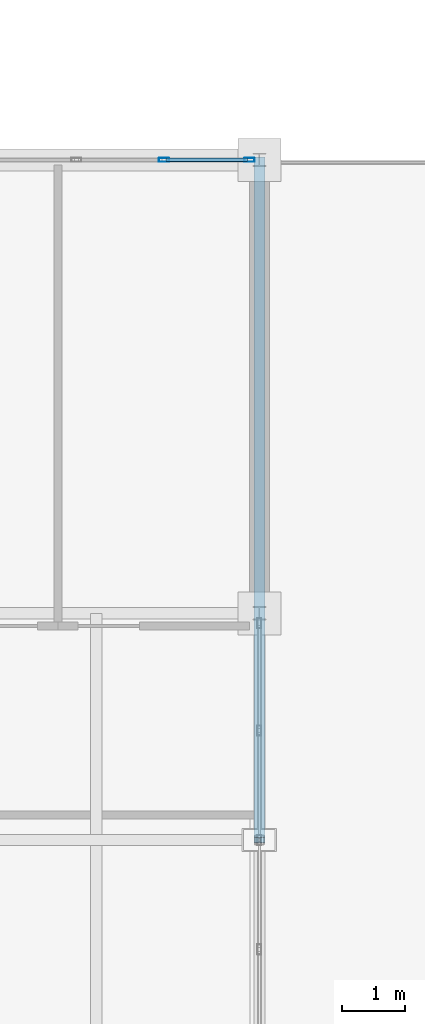
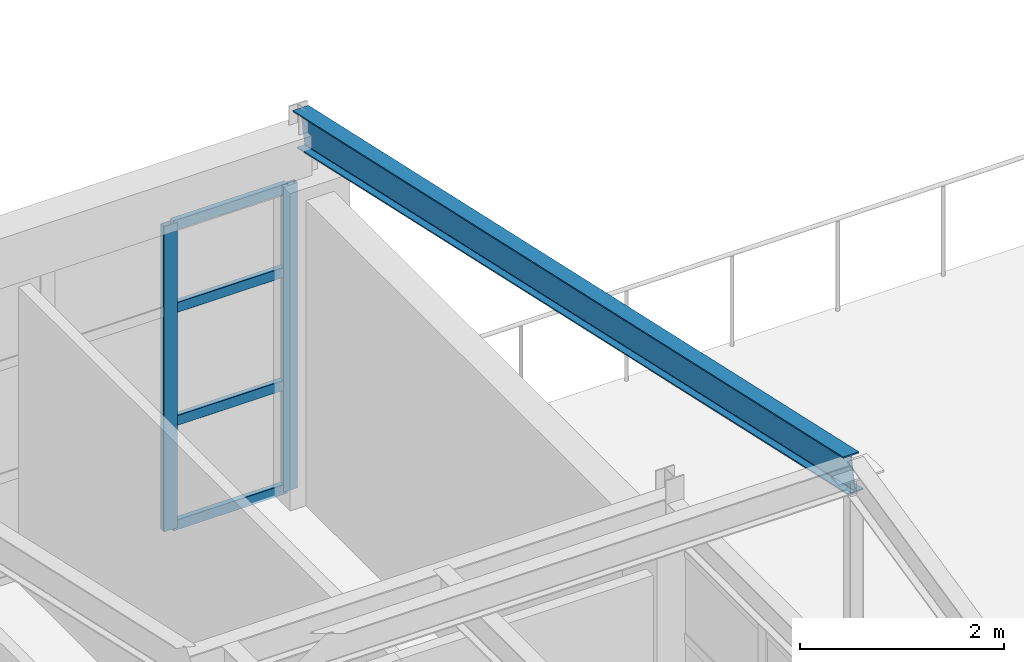
# One storey, part 80 of 101: 6 members, 1 beam, 1 element without a shape of its own.
"""IFC4 building model written with IfcOpenShell, lengths in metres."""

from ifc_helpers import new_model, si_unit, direction, frame, origin, origin_2d, place, context, subcontext, project, spatial, hollow_rectangle, i_section, extrude, material, layer, layer_set, material_profile, profile_set, type_object, element, aggregate, save


model = new_model("IFC4")

# Units and contexts
model_context = context("Model", 3, precision=1e-05, world=origin(), true_north=direction((0.0, 1.0)))
body_context = subcontext(model_context, "Body", "Model", "MODEL_VIEW")
ifc_project = project(units=[si_unit("LENGTHUNIT", "METRE"), si_unit("AREAUNIT", "SQUARE_METRE"), si_unit("VOLUMEUNIT", "CUBIC_METRE"), si_unit("PLANEANGLEUNIT", "RADIAN"), si_unit("MASSUNIT", "GRAM", prefix="KILO")], contexts=[model_context])

# Site, building, storey
site_placement = place(None, origin())
site = spatial("IfcSite", under=ifc_project, at=site_placement, CompositionType="ELEMENT")
building_placement = place(site_placement, origin())
building = spatial("IfcBuilding", under=site, at=building_placement, Name="Kemerveld Promenade Tramway Depot", CompositionType="ELEMENT")
storey_placement = place(building_placement, frame((0.0, 0.0, 9.89990234375)))
storey = spatial("IfcBuildingStorey", under=building, at=storey_placement, Name="L02", CompositionType="ELEMENT", Elevation=9.89990234375)

# Beam
ifc_material_1 = material(Name="Steel S355", Category="steel")
ifc_material_profile_1 = material_profile(ifc_material_1, i_section(OverallWidth=0.1787109375, OverallDepth=0.409423828125, WebThickness=0.0087890625, FlangeThickness=0.014404296875, FilletRadius=0.01025390625, at=origin_2d()), Name="406x178x67 UB")
ifc_profile_set_1 = profile_set([ifc_material_profile_1], Name="Steel S355")
beam_type = type_object("IfcBeamType", Name="BM-G07", PredefinedType="BEAM", material=ifc_profile_set_1)
beam_placement = place(storey_placement, frame((129.60009765625, 18.0, 6.67529296875), z_axis=(0.0, 0.976189137057, -0.216921111677), x_axis=(-1.0, 0.0, 0.0)))
element("IfcBeam", 1, at=beam_placement, inside=storey, type_object=beam_type, Name="RAF-V4-19-N", PredefinedType="BEAM", context=body_context, shape_type="SweptSolid", body=[
    extrude(i_section(OverallWidth=0.1787109375, OverallDepth=0.409423828125, WebThickness=0.0087890625, FlangeThickness=0.014404296875, FilletRadius=0.01025390625, at=origin_2d()), origin(), (0.0, 0.0, 1.0), 11.0634765625),
])

# Curtain wall, members
ifc_material_2 = material(Name="Bronze anodised aluminium and solar glass", Category="aluminium")
ifc_layer = layer(ifc_material_2, 0.159912109375)
ifc_layer_set = layer_set([ifc_layer], Name="CW-SYS-13")
curtain_wall_type = type_object("IfcCurtainWallType", Name="CW-SYS-13", PredefinedType="USERDEFINED", material=ifc_layer_set)
curtain_wall_placement = place(storey_placement, origin())
curtain_wall = element("IfcCurtainWall", 2, at=curtain_wall_placement, inside=storey, type_object=curtain_wall_type, Name="CW-L02-V4N-10", ObjectType="GLAZED_CURTAIN_WALL", PredefinedType="USERDEFINED")
ifc_material_3 = material(Name="Bronze anodised aluminium", Category="aluminium")
ifc_material_profile_2 = material_profile(ifc_material_3, hollow_rectangle(XDim=0.06494140625, YDim=0.159912109375, WallThickness=0.00390625, InnerFilletRadius=0.001953125, OuterFilletRadius=0.00390625, at=origin_2d()), Name="CW-MUL-160x65")
ifc_profile_set_2 = profile_set([ifc_material_profile_2], Name="Bronze anodised aluminium")
member_type_1 = type_object("IfcMemberType", Name="CW-MUL-A", PredefinedType="MULLION", material=ifc_profile_set_2)
member_1_placement = place(storey_placement, frame((128.085205078125, 28.800048828125, 0.0), z_axis=(0.0, 0.0, 1.0), x_axis=(0.0, 1.0, 0.0)))
member_1 = element("IfcMember", 3, at=member_1_placement, type_object=member_type_1, Name="CW13 mullion 5", PredefinedType="MULLION", context=body_context, shape_type="SweptSolid", body=[
    extrude(hollow_rectangle(XDim=0.06494140625, YDim=0.159912109375, WallThickness=0.00390625, InnerFilletRadius=0.001953125, OuterFilletRadius=0.00390625, at=origin_2d()), origin(), (0.0, 0.0, 1.0), 3.655029296875),
])
member_2_placement = place(storey_placement, frame((129.442626953125, 28.800048828125, 0.0), z_axis=(0.0, 0.0, 1.0), x_axis=(0.0, 1.0, 0.0)))
member_2 = element("IfcMember", 4, at=member_2_placement, type_object=member_type_1, Name="CW13 mullion 6", PredefinedType="MULLION", context=body_context, shape_type="SweptSolid", body=[
    extrude(hollow_rectangle(XDim=0.06494140625, YDim=0.159912109375, WallThickness=0.00390625, InnerFilletRadius=0.001953125, OuterFilletRadius=0.00390625, at=origin_2d()), origin(), (0.0, 0.0, 1.0), 3.655029296875),
])
ifc_material_profile_3 = material_profile(ifc_material_3, hollow_rectangle(XDim=0.06005859375, YDim=0.1201171875, WallThickness=0.00390625, InnerFilletRadius=0.001953125, OuterFilletRadius=0.00390625, at=origin_2d()), Name="CW-TRN-120x60")
ifc_profile_set_3 = profile_set([ifc_material_profile_3], Name="Bronze anodised aluminium")
member_type_2 = type_object("IfcMemberType", Name="CW-TRN-A", PredefinedType="USERDEFINED", material=ifc_profile_set_3)
member_3_placement = place(storey_placement, frame((128.11767578125, 28.800048828125, 0.030029296875), z_axis=(1.0, 0.0, 0.0), x_axis=(0.0, 1.0, 0.0)))
member_3 = element("IfcMember", 5, at=member_3_placement, type_object=member_type_2, Name="CW13 transom 5.1", ObjectType="TRANSOM", PredefinedType="USERDEFINED", context=body_context, shape_type="SweptSolid", body=[
    extrude(hollow_rectangle(XDim=0.06005859375, YDim=0.1201171875, WallThickness=0.00390625, InnerFilletRadius=0.001953125, OuterFilletRadius=0.00390625, at=origin_2d()), origin(), (0.0, 0.0, 1.0), 1.29248046875),
])
member_4_placement = place(storey_placement, frame((128.11767578125, 28.800048828125, 1.279052734375), z_axis=(1.0, 0.0, 0.0), x_axis=(0.0, 1.0, 0.0)))
member_4 = element("IfcMember", 6, at=member_4_placement, type_object=member_type_2, Name="CW13 transom 5.2", ObjectType="TRANSOM", PredefinedType="USERDEFINED", context=body_context, shape_type="SweptSolid", body=[
    extrude(hollow_rectangle(XDim=0.06005859375, YDim=0.1201171875, WallThickness=0.00390625, InnerFilletRadius=0.001953125, OuterFilletRadius=0.00390625, at=origin_2d()), origin(), (0.0, 0.0, 1.0), 1.29248046875),
])
member_5_placement = place(storey_placement, frame((128.11767578125, 28.800048828125, 2.632080078125), z_axis=(1.0, 0.0, 0.0), x_axis=(0.0, 1.0, 0.0)))
member_5 = element("IfcMember", 7, at=member_5_placement, type_object=member_type_2, Name="CW13 transom 5.3", ObjectType="TRANSOM", PredefinedType="USERDEFINED", context=body_context, shape_type="SweptSolid", body=[
    extrude(hollow_rectangle(XDim=0.06005859375, YDim=0.1201171875, WallThickness=0.00390625, InnerFilletRadius=0.001953125, OuterFilletRadius=0.00390625, at=origin_2d()), origin(), (0.0, 0.0, 1.0), 1.29248046875),
])
member_6_placement = place(storey_placement, frame((128.11767578125, 28.800048828125, 3.625), z_axis=(1.0, 0.0, 0.0), x_axis=(0.0, 1.0, 0.0)))
member_6 = element("IfcMember", 8, at=member_6_placement, type_object=member_type_2, Name="CW13 transom 5.4", ObjectType="TRANSOM", PredefinedType="USERDEFINED", context=body_context, shape_type="SweptSolid", body=[
    extrude(hollow_rectangle(XDim=0.06005859375, YDim=0.1201171875, WallThickness=0.00390625, InnerFilletRadius=0.001953125, OuterFilletRadius=0.00390625, at=origin_2d()), origin(), (0.0, 0.0, 1.0), 1.29248046875),
])
aggregate(curtain_wall, [member_1, member_2, member_3, member_4, member_5, member_6])

save(model, "model.ifc")
